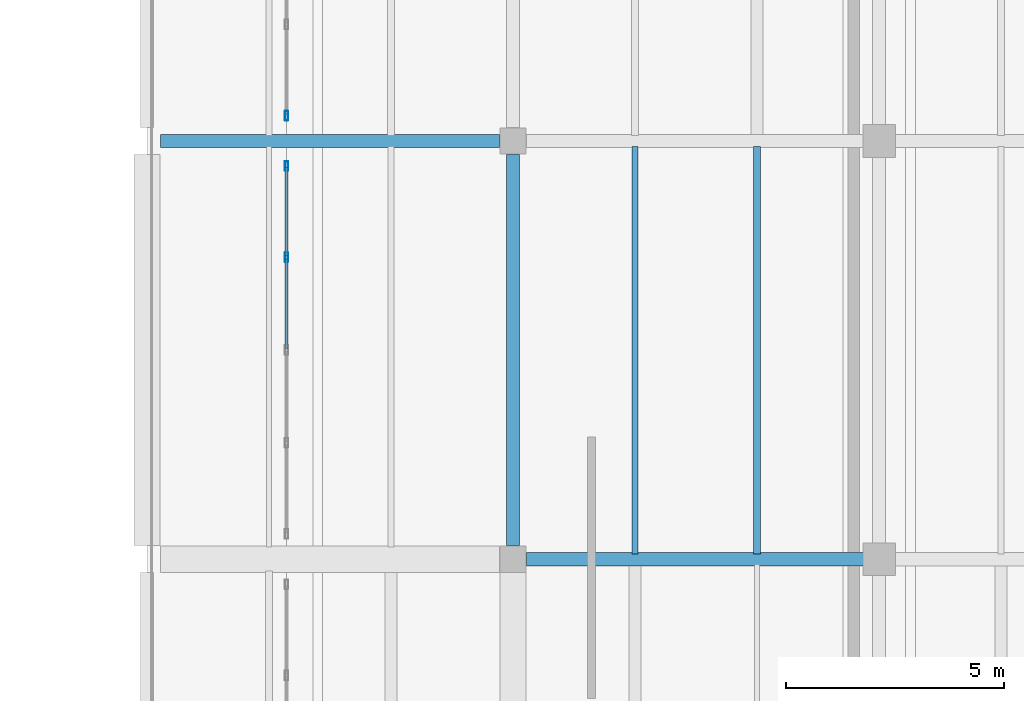
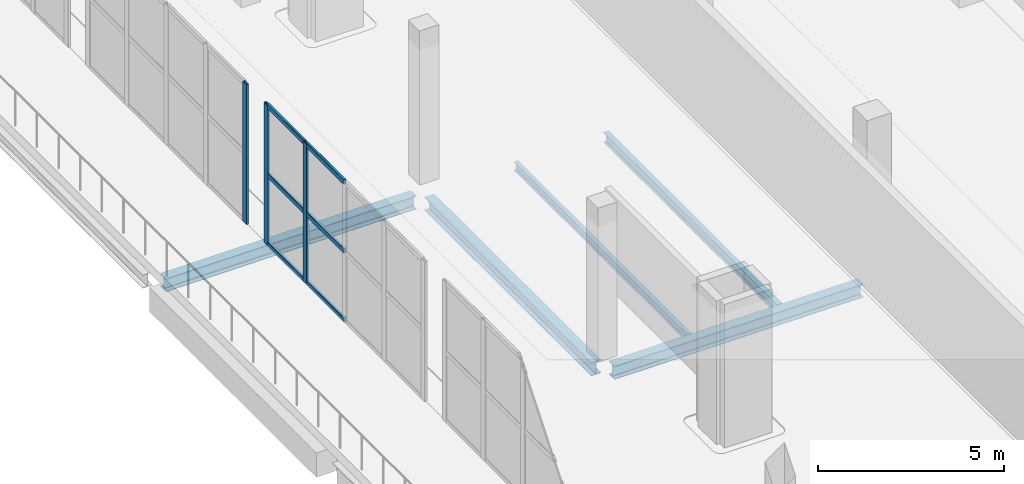
# One storey, part 24 of 77: 9 members, 5 beams, 2 elements without a shape of their own.
"""IFC4 building model written with IfcOpenShell, lengths in metres."""

from ifc_helpers import new_model, si_unit, direction, frame, origin, origin_2d, place, context, subcontext, project, spatial, hollow_rectangle, i_section, extrude, material, layer, layer_set, material_profile, profile_set, type_object, element, aggregate, save


model = new_model("IFC4")

# Units and contexts
model_context = context("Model", 3, precision=1e-05, world=origin(), true_north=direction((0.0, 1.0)))
body_context = subcontext(model_context, "Body", "Model", "MODEL_VIEW")
ifc_project = project(units=[si_unit("LENGTHUNIT", "METRE"), si_unit("AREAUNIT", "SQUARE_METRE"), si_unit("VOLUMEUNIT", "CUBIC_METRE"), si_unit("PLANEANGLEUNIT", "RADIAN"), si_unit("MASSUNIT", "GRAM", prefix="KILO")], contexts=[model_context])

# Site, building, storey
site_placement = place(None, origin())
site = spatial("IfcSite", under=ifc_project, at=site_placement, CompositionType="ELEMENT")
building_placement = place(site_placement, origin())
building = spatial("IfcBuilding", under=site, at=building_placement, Name="Zulmaris Art Gallery", CompositionType="ELEMENT")
storey_placement = place(building_placement, frame((0.0, 0.0, 15.60009765625)))
storey = spatial("IfcBuildingStorey", under=building, at=storey_placement, Name="L03", CompositionType="ELEMENT", Elevation=15.60009765625)

# Beams
ifc_material_1 = material(Name="Steel S355J2", Category="steel")
ifc_material_profile_1 = material_profile(ifc_material_1, i_section(OverallWidth=0.300048828125, OverallDepth=0.43994140625, WebThickness=0.011474609375, FlangeThickness=0.02099609375, FilletRadius=0.027099609375, at=origin_2d()), Name="HEA 450")
ifc_profile_set_1 = profile_set([ifc_material_profile_1], Name="Steel S355J2")
beam_type_1 = type_object("IfcBeamType", Name="BEAM-BM10", PredefinedType="BEAM", material=ifc_profile_set_1)
beam_1_placement = place(storey_placement, frame((133.510009765625, 31.199951171875, -0.6201171875), z_axis=(1.0, 0.0, 0.0), x_axis=(0.0, 1.0, 0.0)))
element("IfcBeam", 1, at=beam_1_placement, inside=storey, type_object=beam_type_1, Name="L03 X-girder (133.2..141.6, y=31.2)", PredefinedType="BEAM", context=body_context, shape_type="SweptSolid", body=[
    extrude(i_section(OverallWidth=0.300048828125, OverallDepth=0.43994140625, WebThickness=0.011474609375, FlangeThickness=0.02099609375, FilletRadius=0.027099609375, at=origin_2d()), origin(), (0.0, 0.0, 1.0), 7.72998046875),
])
beam_2_placement = place(storey_placement, frame((125.110107421875, 40.800048828125, -0.6201171875), z_axis=(1.0, 0.0, 0.0), x_axis=(0.0, 1.0, 0.0)))
element("IfcBeam", 2, at=beam_2_placement, inside=storey, type_object=beam_type_1, Name="L03 X-girder (124.8..133.2, y=40.8)", PredefinedType="BEAM", context=body_context, shape_type="SweptSolid", body=[
    extrude(i_section(OverallWidth=0.300048828125, OverallDepth=0.43994140625, WebThickness=0.011474609375, FlangeThickness=0.02099609375, FilletRadius=0.027099609375, at=origin_2d()), origin(), (0.0, 0.0, 1.0), 7.77978515625),
])
beam_3_placement = place(storey_placement, frame((133.199951171875, 31.510009765625, -0.6201171875), z_axis=(0.0, 1.0, 0.0), x_axis=(-1.0, 0.0, 0.0)))
element("IfcBeam", 3, at=beam_3_placement, inside=storey, type_object=beam_type_1, Name="L03 Y-girder (x=133.2, 31.2..40.8)", PredefinedType="BEAM", context=body_context, shape_type="SweptSolid", body=[
    extrude(i_section(OverallWidth=0.300048828125, OverallDepth=0.43994140625, WebThickness=0.011474609375, FlangeThickness=0.02099609375, FilletRadius=0.027099609375, at=origin_2d()), origin(), (0.0, 0.0, 1.0), 8.97998046875),
])
ifc_material_profile_2 = material_profile(ifc_material_1, i_section(OverallWidth=0.135009765625, OverallDepth=0.27001953125, WebThickness=0.006591796875, FlangeThickness=0.01025390625, FilletRadius=0.014892578125, at=origin_2d()), Name="IPE 270")
ifc_profile_set_2 = profile_set([ifc_material_profile_2], Name="Steel S355J2")
beam_type_2 = type_object("IfcBeamType", Name="BEAM-JS02", PredefinedType="JOIST", material=ifc_profile_set_2)
beam_4_placement = place(storey_placement, frame((136.0, 31.324951171875, -0.505126953125), z_axis=(0.0, 1.0, 0.0), x_axis=(-1.0, 0.0, 0.0)))
element("IfcBeam", 4, at=beam_4_placement, inside=storey, type_object=beam_type_2, Name="L03 secondary joist at x=136.0", PredefinedType="JOIST", context=body_context, shape_type="SweptSolid", body=[
    extrude(i_section(OverallWidth=0.135009765625, OverallDepth=0.27001953125, WebThickness=0.006591796875, FlangeThickness=0.01025390625, FilletRadius=0.014892578125, at=origin_2d()), origin(), (0.0, 0.0, 1.0), 9.35009765625),
])
ifc_material_profile_3 = material_profile(ifc_material_1, i_section(OverallWidth=0.159912109375, OverallDepth=0.330078125, WebThickness=0.007568359375, FlangeThickness=0.011474609375, FilletRadius=0.01806640625, at=origin_2d()), Name="IPE 330")
ifc_profile_set_3 = profile_set([ifc_material_profile_3], Name="Steel S355J2")
beam_type_3 = type_object("IfcBeamType", Name="BEAM-JS03", PredefinedType="JOIST", material=ifc_profile_set_3)
beam_5_placement = place(storey_placement, frame((138.800048828125, 31.324951171875, -0.53515625), z_axis=(0.0, 1.0, 0.0), x_axis=(-1.0, 0.0, 0.0)))
element("IfcBeam", 5, at=beam_5_placement, inside=storey, type_object=beam_type_3, Name="L03 secondary joist at x=138.8", PredefinedType="JOIST", context=body_context, shape_type="SweptSolid", body=[
    extrude(i_section(OverallWidth=0.159912109375, OverallDepth=0.330078125, WebThickness=0.007568359375, FlangeThickness=0.011474609375, FilletRadius=0.01806640625, at=origin_2d()), origin(), (0.0, 0.0, 1.0), 9.35009765625),
])

# Curtain wall, members
ifc_material_2 = material(Name="Unitised Low-E Gallery Curtain Wall", Category="aluminium")
ifc_layer = layer(ifc_material_2, 0.179931640625)
ifc_layer_set = layer_set([ifc_layer], Name="Unitised Low-E Gallery Curtain Wall")
curtain_wall_type = type_object("IfcCurtainWallType", Name="CW-CW01", PredefinedType="NOTDEFINED", material=ifc_layer_set)
curtain_wall_1_placement = place(storey_placement, origin())
curtain_wall_1 = element("IfcCurtainWall", 6, at=curtain_wall_1_placement, inside=storey, type_object=curtain_wall_type, Name="L03 curtain wall 120", PredefinedType="NOTDEFINED")
ifc_material_3 = material(Name="Anodised Bronze Aluminium", Category="aluminium")
ifc_material_profile_4 = material_profile(ifc_material_3, hollow_rectangle(XDim=0.074951171875, YDim=0.219970703125, WallThickness=0.0048828125, InnerFilletRadius=0.007568359375, OuterFilletRadius=0.012451171875, at=origin_2d()), Name="ALU 75x220x5")
ifc_profile_set_4 = profile_set([ifc_material_profile_4], Name="Anodised Bronze Aluminium")
member_type_1 = type_object("IfcMemberType", Name="CWMUL-02", PredefinedType="MULLION", material=ifc_profile_set_4)
member_1_placement = place(storey_placement, frame((128.0, 38.1298828125, 0.0), z_axis=(0.0, 0.0, 1.0), x_axis=(-1.0, 0.0, 0.0)))
member_1 = element("IfcMember", 7, at=member_1_placement, type_object=member_type_1, Name="CW01 mullion 4", PredefinedType="MULLION", context=body_context, shape_type="SweptSolid", body=[
    extrude(hollow_rectangle(XDim=0.074951171875, YDim=0.219970703125, WallThickness=0.0048828125, InnerFilletRadius=0.007568359375, OuterFilletRadius=0.012451171875, at=origin_2d()), origin(), (0.0, 0.0, 1.0), 4.599853515625),
])
member_2_placement = place(storey_placement, frame((128.0, 40.222412109375, 0.0), z_axis=(0.0, 0.0, 1.0), x_axis=(-1.0, 0.0, 0.0)))
member_2 = element("IfcMember", 8, at=member_2_placement, type_object=member_type_1, Name="CW01 mullion 5", PredefinedType="MULLION", context=body_context, shape_type="SweptSolid", body=[
    extrude(hollow_rectangle(XDim=0.074951171875, YDim=0.219970703125, WallThickness=0.0048828125, InnerFilletRadius=0.007568359375, OuterFilletRadius=0.012451171875, at=origin_2d()), origin(), (0.0, 0.0, 1.0), 4.599853515625),
])

# Curtain wall, member
curtain_wall_2_placement = place(storey_placement, origin())
curtain_wall_2 = element("IfcCurtainWall", 9, at=curtain_wall_2_placement, inside=storey, type_object=curtain_wall_type, Name="L03 curtain wall 121", PredefinedType="NOTDEFINED")
member_3_placement = place(storey_placement, frame((128.0, 41.37744140625, 0.0), z_axis=(0.0, 0.0, 1.0), x_axis=(-1.0, 0.0, 0.0)))
member_3 = element("IfcMember", 10, at=member_3_placement, type_object=member_type_1, Name="CW01 mullion 1", PredefinedType="MULLION", context=body_context, shape_type="SweptSolid", body=[
    extrude(hollow_rectangle(XDim=0.074951171875, YDim=0.219970703125, WallThickness=0.0048828125, InnerFilletRadius=0.007568359375, OuterFilletRadius=0.012451171875, at=origin_2d()), origin(), (0.0, 0.0, 1.0), 4.599853515625),
])
aggregate(curtain_wall_2, [member_3])

# Member
ifc_material_profile_5 = material_profile(ifc_material_3, hollow_rectangle(XDim=0.074951171875, YDim=0.159912109375, WallThickness=0.00390625, InnerFilletRadius=0.006103515625, OuterFilletRadius=0.010009765625, at=origin_2d()), Name="ALU 75x160x4")
ifc_profile_set_5 = profile_set([ifc_material_profile_5], Name="Anodised Bronze Aluminium")
member_type_2 = type_object("IfcMemberType", Name="CWTRN-02", PredefinedType="USERDEFINED", material=ifc_profile_set_5)
member_4_placement = place(storey_placement, frame((128.0, 36.03759765625, 0.037353515625), z_axis=(0.0, 1.0, 0.0), x_axis=(-1.0, 0.0, 0.0)))
member_4 = element("IfcMember", 11, at=member_4_placement, type_object=member_type_2, Name="CW01 transom 3.1", ObjectType="TRANSOM", PredefinedType="USERDEFINED", context=body_context, shape_type="SweptSolid", body=[
    extrude(hollow_rectangle(XDim=0.074951171875, YDim=0.159912109375, WallThickness=0.00390625, InnerFilletRadius=0.006103515625, OuterFilletRadius=0.010009765625, at=origin_2d()), origin(), (0.0, 0.0, 1.0), 2.054931640625),
])

member_5_placement = place(storey_placement, frame((128.0, 36.03759765625, 2.2998046875), z_axis=(0.0, 1.0, 0.0), x_axis=(-1.0, 0.0, 0.0)))
member_5 = element("IfcMember", 12, at=member_5_placement, type_object=member_type_2, Name="CW01 transom 3.2", ObjectType="TRANSOM", PredefinedType="USERDEFINED", context=body_context, shape_type="SweptSolid", body=[
    extrude(hollow_rectangle(XDim=0.074951171875, YDim=0.159912109375, WallThickness=0.00390625, InnerFilletRadius=0.006103515625, OuterFilletRadius=0.010009765625, at=origin_2d()), origin(), (0.0, 0.0, 1.0), 2.054931640625),
])

member_6_placement = place(storey_placement, frame((128.0, 36.03759765625, 4.5625), z_axis=(0.0, 1.0, 0.0), x_axis=(-1.0, 0.0, 0.0)))
member_6 = element("IfcMember", 13, at=member_6_placement, type_object=member_type_2, Name="CW01 transom 3.3", ObjectType="TRANSOM", PredefinedType="USERDEFINED", context=body_context, shape_type="SweptSolid", body=[
    extrude(hollow_rectangle(XDim=0.074951171875, YDim=0.159912109375, WallThickness=0.00390625, InnerFilletRadius=0.006103515625, OuterFilletRadius=0.010009765625, at=origin_2d()), origin(), (0.0, 0.0, 1.0), 2.054931640625),
])

member_7_placement = place(storey_placement, frame((128.0, 38.16748046875, 0.037353515625), z_axis=(0.0, 1.0, 0.0), x_axis=(-1.0, 0.0, 0.0)))
member_7 = element("IfcMember", 14, at=member_7_placement, type_object=member_type_2, Name="CW01 transom 4.1", ObjectType="TRANSOM", PredefinedType="USERDEFINED", context=body_context, shape_type="SweptSolid", body=[
    extrude(hollow_rectangle(XDim=0.074951171875, YDim=0.159912109375, WallThickness=0.00390625, InnerFilletRadius=0.006103515625, OuterFilletRadius=0.010009765625, at=origin_2d()), origin(), (0.0, 0.0, 1.0), 2.017578125),
])

member_8_placement = place(storey_placement, frame((128.0, 38.16748046875, 2.2998046875), z_axis=(0.0, 1.0, 0.0), x_axis=(-1.0, 0.0, 0.0)))
member_8 = element("IfcMember", 15, at=member_8_placement, type_object=member_type_2, Name="CW01 transom 4.2", ObjectType="TRANSOM", PredefinedType="USERDEFINED", context=body_context, shape_type="SweptSolid", body=[
    extrude(hollow_rectangle(XDim=0.074951171875, YDim=0.159912109375, WallThickness=0.00390625, InnerFilletRadius=0.006103515625, OuterFilletRadius=0.010009765625, at=origin_2d()), origin(), (0.0, 0.0, 1.0), 2.017578125),
])

member_9_placement = place(storey_placement, frame((128.0, 38.16748046875, 4.5625), z_axis=(0.0, 1.0, 0.0), x_axis=(-1.0, 0.0, 0.0)))
member_9 = element("IfcMember", 16, at=member_9_placement, type_object=member_type_2, Name="CW01 transom 4.3", ObjectType="TRANSOM", PredefinedType="USERDEFINED", context=body_context, shape_type="SweptSolid", body=[
    extrude(hollow_rectangle(XDim=0.074951171875, YDim=0.159912109375, WallThickness=0.00390625, InnerFilletRadius=0.006103515625, OuterFilletRadius=0.010009765625, at=origin_2d()), origin(), (0.0, 0.0, 1.0), 2.017578125),
])

aggregate(curtain_wall_1, [member_1, member_2, member_4, member_5, member_6, member_7, member_8, member_9])

save(model, "model.ifc")
